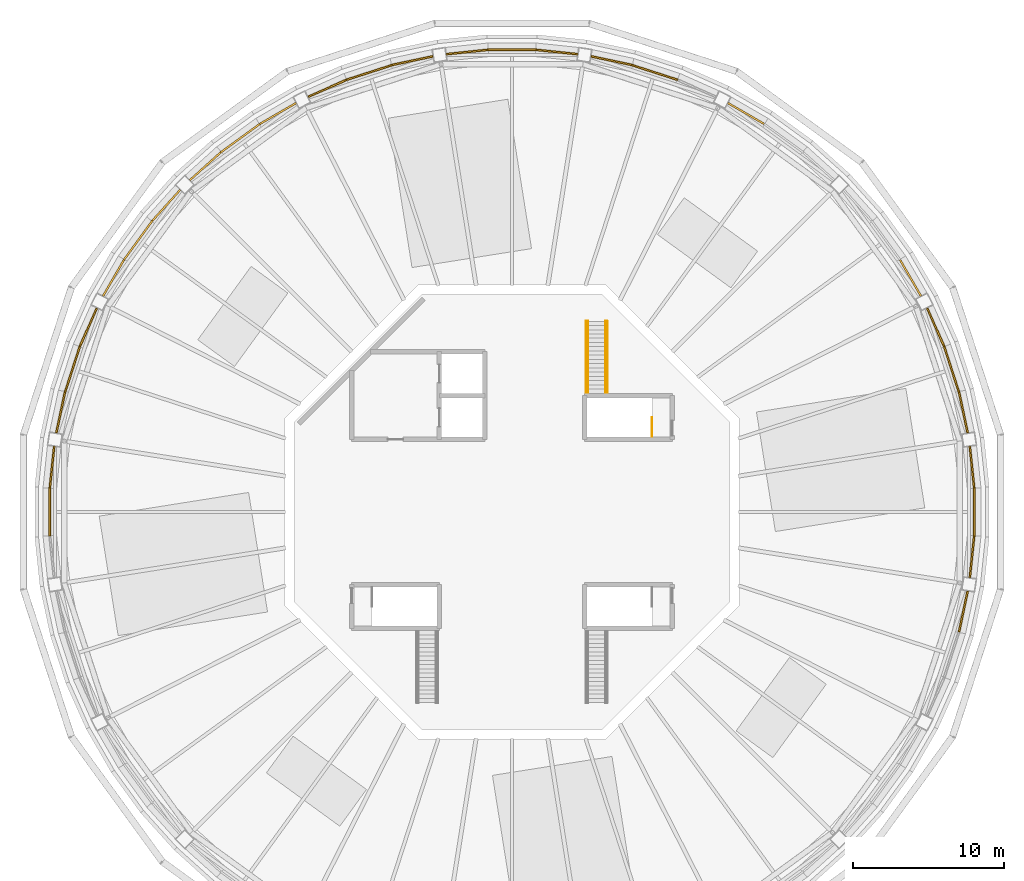
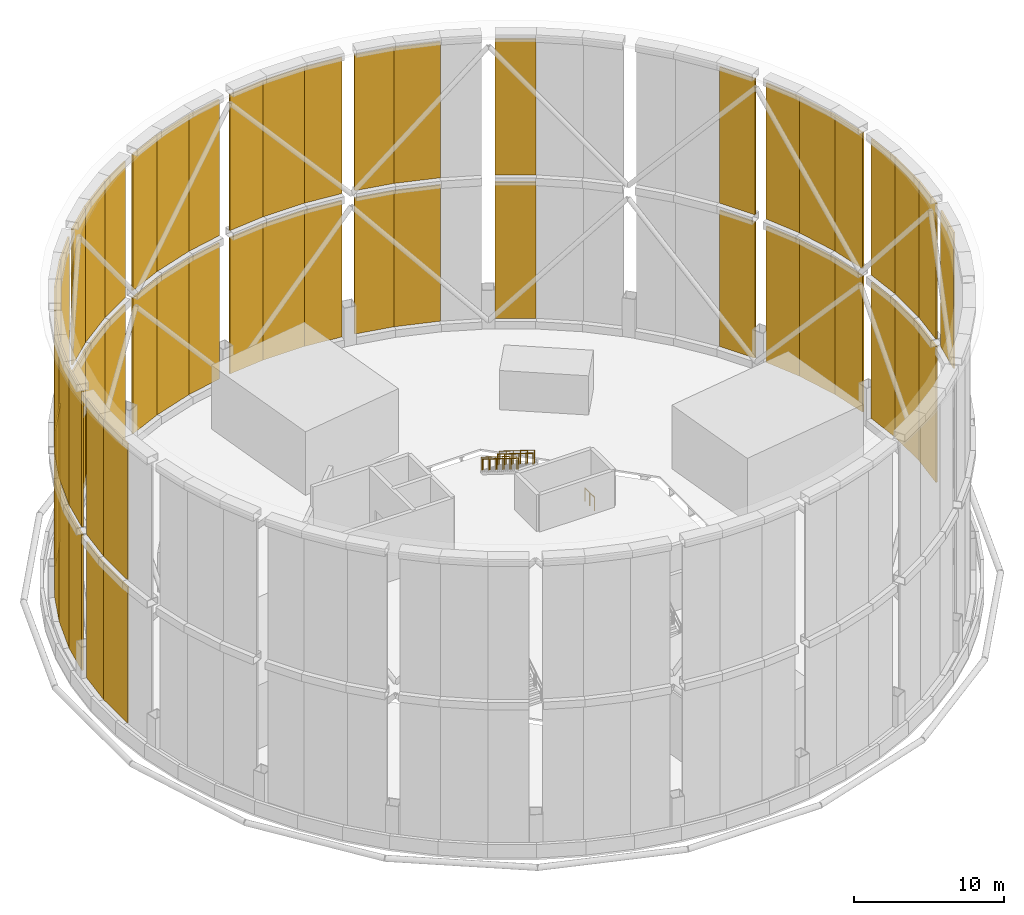
# One storey, part 9 of 11: 55 shading devices, 5 railings.
"""IFC4 building model written with IfcOpenShell, lengths in metres."""

from ifc_helpers import new_model, si_unit, direction, frame, origin, origin_2d, place, context, subcontext, project, spatial, polyline, circle, outline, extrude, material, layer, layer_set, type_object, element, save


model = new_model("IFC4")

# Units and contexts
model_context = context("Model", 3, precision=1e-05, world=origin(), true_north=direction((0.0, 1.0)))
body_context = subcontext(model_context, "Body", "Model", "MODEL_VIEW")
ifc_project = project(units=[si_unit("LENGTHUNIT", "METRE"), si_unit("AREAUNIT", "SQUARE_METRE"), si_unit("VOLUMEUNIT", "CUBIC_METRE"), si_unit("PLANEANGLEUNIT", "RADIAN"), si_unit("MASSUNIT", "GRAM", prefix="KILO")], contexts=[model_context])

# Site, building, storey
site_placement = place(None, origin())
site = spatial("IfcSite", under=ifc_project, at=site_placement, CompositionType="ELEMENT")
building_placement = place(site_placement, origin())
building = spatial("IfcBuilding", under=site, at=building_placement, Name="Entoto Ring Tower", CompositionType="ELEMENT")
storey_placement = place(building_placement, frame((0.0, 0.0, 415.0)))
storey = spatial("IfcBuildingStorey", under=building, at=storey_placement, Name="ROOF", CompositionType="ELEMENT", Elevation=415.0)

# Shading devices
ifc_material_1 = material(Name="Anodised aluminium", Category="aluminium")
ifc_layer = layer(ifc_material_1, 0.1201171875)
ifc_layer_set = layer_set([ifc_layer], Name="Anodised aluminium")
shading_device_type = type_object("IfcShadingDeviceType", Name="Crown louvre screen 120 mm anodised aluminium", PredefinedType="SHUTTER", material=ifc_layer_set)
shading_device_1_placement = place(storey_placement, frame((0.0, 0.0, 0.60009765625)))
element("IfcShadingDevice", 1, at=shading_device_1_placement, inside=storey, type_object=shading_device_type, Name="CROWN SCREEN 1-00", PredefinedType="SHUTTER", context=body_context, shape_type="SweptSolid", body=[
    extrude(outline(polyline([(120.071044921875, 85.214599609375), (120.1884765625, 85.239501953125), (119.615478515625, 87.935302734375), (119.499267578125, 87.904296875), (120.071044921875, 85.214599609375)])), origin(), (0.0, 0.0, 1.0), 11.099853515625),
])
shading_device_2_placement = place(storey_placement, frame((0.0, 0.0, 0.60009765625)))
element("IfcShadingDevice", 2, at=shading_device_2_placement, inside=storey, type_object=shading_device_type, Name="CROWN SCREEN 1-01", PredefinedType="SHUTTER", context=body_context, shape_type="SweptSolid", body=[
    extrude(outline(polyline([(119.499267578125, 87.904296875), (119.615478515625, 87.935302734375), (118.62353515625, 90.987548828125), (118.511474609375, 90.944580078125), (119.499267578125, 87.904296875)])), origin(), (0.0, 0.0, 1.0), 11.099853515625),
])
shading_device_3_placement = place(storey_placement, frame((0.0, 0.0, 0.60009765625)))
element("IfcShadingDevice", 3, at=shading_device_3_placement, inside=storey, type_object=shading_device_type, Name="CROWN SCREEN 1-02", PredefinedType="SHUTTER", context=body_context, shape_type="SweptSolid", body=[
    extrude(outline(polyline([(118.511474609375, 90.944580078125), (118.62353515625, 90.987548828125), (117.502685546875, 93.50537109375), (117.39306640625, 93.45654296875), (118.511474609375, 90.944580078125)])), origin(), (0.0, 0.0, 1.0), 11.099853515625),
])
shading_device_4_placement = place(storey_placement, frame((0.0, 0.0, 0.60009765625)))
element("IfcShadingDevice", 4, at=shading_device_4_placement, inside=storey, type_object=shading_device_type, Name="CROWN SCREEN 1-03", PredefinedType="SHUTTER", context=body_context, shape_type="SweptSolid", body=[
    extrude(outline(polyline([(116.98779296875, 94.251708984375), (117.091796875, 94.311767578125), (115.713623046875, 96.69873046875), (115.613037109375, 96.63330078125), (116.98779296875, 94.251708984375)])), origin(), (0.0, 0.0, 1.0), 11.099853515625),
])
shading_device_5_placement = place(storey_placement, frame((0.0, 0.0, 0.60009765625)))
element("IfcShadingDevice", 5, at=shading_device_5_placement, inside=storey, type_object=shading_device_type, Name="CROWN SCREEN 1-08", PredefinedType="SHUTTER", context=body_context, shape_type="SweptSolid", body=[
    extrude(outline(polyline([(106.63330078125, 105.613037109375), (106.69873046875, 105.713623046875), (104.311767578125, 107.091796875), (104.251708984375, 106.98779296875), (106.63330078125, 105.613037109375)])), origin(), (0.0, 0.0, 1.0), 11.099853515625),
])
shading_device_6_placement = place(storey_placement, frame((0.0, 0.0, 0.60009765625)))
element("IfcShadingDevice", 6, at=shading_device_6_placement, inside=storey, type_object=shading_device_type, Name="CROWN SCREEN 1-10", PredefinedType="SHUTTER", context=body_context, shape_type="SweptSolid", body=[
    extrude(outline(polyline([(100.944580078125, 108.511474609375), (100.987548828125, 108.62353515625), (97.935302734375, 109.615478515625), (97.904296875, 109.499267578125), (100.944580078125, 108.511474609375)])), origin(), (0.0, 0.0, 1.0), 11.099853515625),
])
shading_device_7_placement = place(storey_placement, frame((0.0, 0.0, 0.60009765625)))
element("IfcShadingDevice", 7, at=shading_device_7_placement, inside=storey, type_object=shading_device_type, Name="CROWN SCREEN 1-11", PredefinedType="SHUTTER", context=body_context, shape_type="SweptSolid", body=[
    extrude(outline(polyline([(97.904296875, 109.499267578125), (97.935302734375, 109.615478515625), (95.239501953125, 110.1884765625), (95.214599609375, 110.071044921875), (97.904296875, 109.499267578125)])), origin(), (0.0, 0.0, 1.0), 11.099853515625),
])
shading_device_8_placement = place(storey_placement, frame((0.0, 0.0, 0.60009765625)))
element("IfcShadingDevice", 8, at=shading_device_8_placement, inside=storey, type_object=shading_device_type, Name="CROWN SCREEN 1-12", PredefinedType="SHUTTER", context=body_context, shape_type="SweptSolid", body=[
    extrude(outline(polyline([(94.3330078125, 110.210693359375), (94.345703125, 110.330078125), (91.604736328125, 110.6181640625), (91.598388671875, 110.498046875), (94.3330078125, 110.210693359375)])), origin(), (0.0, 0.0, 1.0), 11.099853515625),
])
shading_device_9_placement = place(storey_placement, frame((0.0, 0.0, 0.60009765625)))
element("IfcShadingDevice", 9, at=shading_device_9_placement, inside=storey, type_object=shading_device_type, Name="CROWN SCREEN 1-13", PredefinedType="SHUTTER", context=body_context, shape_type="SweptSolid", body=[
    extrude(outline(polyline([(91.598388671875, 110.498046875), (91.604736328125, 110.6181640625), (88.395263671875, 110.6181640625), (88.401611328125, 110.498046875), (91.598388671875, 110.498046875)])), origin(), (0.0, 0.0, 1.0), 11.099853515625),
])
shading_device_10_placement = place(storey_placement, frame((0.0, 0.0, 0.60009765625)))
element("IfcShadingDevice", 10, at=shading_device_10_placement, inside=storey, type_object=shading_device_type, Name="CROWN SCREEN 1-14", PredefinedType="SHUTTER", context=body_context, shape_type="SweptSolid", body=[
    extrude(outline(polyline([(88.401611328125, 110.498046875), (88.395263671875, 110.6181640625), (85.654296875, 110.330078125), (85.6669921875, 110.210693359375), (88.401611328125, 110.498046875)])), origin(), (0.0, 0.0, 1.0), 11.099853515625),
])
shading_device_11_placement = place(storey_placement, frame((0.0, 0.0, 0.60009765625)))
element("IfcShadingDevice", 11, at=shading_device_11_placement, inside=storey, type_object=shading_device_type, Name="CROWN SCREEN 1-15", PredefinedType="SHUTTER", context=body_context, shape_type="SweptSolid", body=[
    extrude(outline(polyline([(84.785400390625, 110.071044921875), (84.760498046875, 110.1884765625), (82.064697265625, 109.615478515625), (82.095703125, 109.499267578125), (84.785400390625, 110.071044921875)])), origin(), (0.0, 0.0, 1.0), 11.099853515625),
])
shading_device_12_placement = place(storey_placement, frame((0.0, 0.0, 0.60009765625)))
element("IfcShadingDevice", 12, at=shading_device_12_placement, inside=storey, type_object=shading_device_type, Name="CROWN SCREEN 1-16", PredefinedType="SHUTTER", context=body_context, shape_type="SweptSolid", body=[
    extrude(outline(polyline([(82.095703125, 109.499267578125), (82.064697265625, 109.615478515625), (79.012451171875, 108.62353515625), (79.055419921875, 108.511474609375), (82.095703125, 109.499267578125)])), origin(), (0.0, 0.0, 1.0), 11.099853515625),
])
shading_device_13_placement = place(storey_placement, frame((0.0, 0.0, 0.60009765625)))
element("IfcShadingDevice", 13, at=shading_device_13_placement, inside=storey, type_object=shading_device_type, Name="CROWN SCREEN 1-17", PredefinedType="SHUTTER", context=body_context, shape_type="SweptSolid", body=[
    extrude(outline(polyline([(79.055419921875, 108.511474609375), (79.012451171875, 108.62353515625), (76.49462890625, 107.502685546875), (76.54345703125, 107.39306640625), (79.055419921875, 108.511474609375)])), origin(), (0.0, 0.0, 1.0), 11.099853515625),
])
shading_device_14_placement = place(storey_placement, frame((0.0, 0.0, 0.60009765625)))
element("IfcShadingDevice", 14, at=shading_device_14_placement, inside=storey, type_object=shading_device_type, Name="CROWN SCREEN 1-18", PredefinedType="SHUTTER", context=body_context, shape_type="SweptSolid", body=[
    extrude(outline(polyline([(75.748291015625, 106.98779296875), (75.688232421875, 107.091796875), (73.30126953125, 105.713623046875), (73.36669921875, 105.613037109375), (75.748291015625, 106.98779296875)])), origin(), (0.0, 0.0, 1.0), 11.099853515625),
])
shading_device_15_placement = place(storey_placement, frame((0.0, 0.0, 0.60009765625)))
element("IfcShadingDevice", 15, at=shading_device_15_placement, inside=storey, type_object=shading_device_type, Name="CROWN SCREEN 1-19", PredefinedType="SHUTTER", context=body_context, shape_type="SweptSolid", body=[
    extrude(outline(polyline([(73.36669921875, 105.613037109375), (73.30126953125, 105.713623046875), (70.705078125, 103.827392578125), (70.780517578125, 103.73388671875), (73.36669921875, 105.613037109375)])), origin(), (0.0, 0.0, 1.0), 11.099853515625),
])
shading_device_16_placement = place(storey_placement, frame((0.0, 0.0, 0.60009765625)))
element("IfcShadingDevice", 16, at=shading_device_16_placement, inside=storey, type_object=shading_device_type, Name="CROWN SCREEN 1-20", PredefinedType="SHUTTER", context=body_context, shape_type="SweptSolid", body=[
    extrude(outline(polyline([(70.780517578125, 103.73388671875), (70.705078125, 103.827392578125), (68.65673828125, 101.983154296875), (68.737060546875, 101.89404296875), (70.780517578125, 103.73388671875)])), origin(), (0.0, 0.0, 1.0), 11.099853515625),
])
shading_device_17_placement = place(storey_placement, frame((0.0, 0.0, 0.60009765625)))
element("IfcShadingDevice", 17, at=shading_device_17_placement, inside=storey, type_object=shading_device_type, Name="CROWN SCREEN 1-21", PredefinedType="SHUTTER", context=body_context, shape_type="SweptSolid", body=[
    extrude(outline(polyline([(68.10595703125, 101.262939453125), (68.016845703125, 101.34326171875), (66.172607421875, 99.294921875), (66.26611328125, 99.219482421875), (68.10595703125, 101.262939453125)])), origin(), (0.0, 0.0, 1.0), 11.099853515625),
])
shading_device_18_placement = place(storey_placement, frame((0.0, 0.0, 0.60009765625)))
element("IfcShadingDevice", 18, at=shading_device_18_placement, inside=storey, type_object=shading_device_type, Name="CROWN SCREEN 1-22", PredefinedType="SHUTTER", context=body_context, shape_type="SweptSolid", body=[
    extrude(outline(polyline([(66.26611328125, 99.219482421875), (66.172607421875, 99.294921875), (64.286376953125, 96.69873046875), (64.386962890625, 96.63330078125), (66.26611328125, 99.219482421875)])), origin(), (0.0, 0.0, 1.0), 11.099853515625),
])
shading_device_19_placement = place(storey_placement, frame((0.0, 0.0, 0.60009765625)))
element("IfcShadingDevice", 19, at=shading_device_19_placement, inside=storey, type_object=shading_device_type, Name="CROWN SCREEN 1-23", PredefinedType="SHUTTER", context=body_context, shape_type="SweptSolid", body=[
    extrude(outline(polyline([(64.386962890625, 96.63330078125), (64.286376953125, 96.69873046875), (62.908203125, 94.311767578125), (63.01220703125, 94.251708984375), (64.386962890625, 96.63330078125)])), origin(), (0.0, 0.0, 1.0), 11.099853515625),
])
shading_device_20_placement = place(storey_placement, frame((0.0, 0.0, 0.60009765625)))
element("IfcShadingDevice", 20, at=shading_device_20_placement, inside=storey, type_object=shading_device_type, Name="CROWN SCREEN 1-24", PredefinedType="SHUTTER", context=body_context, shape_type="SweptSolid", body=[
    extrude(outline(polyline([(62.60693359375, 93.45654296875), (62.497314453125, 93.50537109375), (61.37646484375, 90.987548828125), (61.488525390625, 90.944580078125), (62.60693359375, 93.45654296875)])), origin(), (0.0, 0.0, 1.0), 11.099853515625),
])
shading_device_21_placement = place(storey_placement, frame((0.0, 0.0, 0.60009765625)))
element("IfcShadingDevice", 21, at=shading_device_21_placement, inside=storey, type_object=shading_device_type, Name="CROWN SCREEN 1-25", PredefinedType="SHUTTER", context=body_context, shape_type="SweptSolid", body=[
    extrude(outline(polyline([(61.488525390625, 90.944580078125), (61.37646484375, 90.987548828125), (60.384521484375, 87.935302734375), (60.500732421875, 87.904296875), (61.488525390625, 90.944580078125)])), origin(), (0.0, 0.0, 1.0), 11.099853515625),
])
shading_device_22_placement = place(storey_placement, frame((0.0, 0.0, 0.60009765625)))
element("IfcShadingDevice", 22, at=shading_device_22_placement, inside=storey, type_object=shading_device_type, Name="CROWN SCREEN 1-26", PredefinedType="SHUTTER", context=body_context, shape_type="SweptSolid", body=[
    extrude(outline(polyline([(60.500732421875, 87.904296875), (60.384521484375, 87.935302734375), (59.8115234375, 85.239501953125), (59.928955078125, 85.214599609375), (60.500732421875, 87.904296875)])), origin(), (0.0, 0.0, 1.0), 11.099853515625),
])
shading_device_23_placement = place(storey_placement, frame((0.0, 0.0, 0.60009765625)))
element("IfcShadingDevice", 23, at=shading_device_23_placement, inside=storey, type_object=shading_device_type, Name="CROWN SCREEN 1-27", PredefinedType="SHUTTER", context=body_context, shape_type="SweptSolid", body=[
    extrude(outline(polyline([(59.789306640625, 84.3330078125), (59.669921875, 84.345703125), (59.3818359375, 81.604736328125), (59.501953125, 81.598388671875), (59.789306640625, 84.3330078125)])), origin(), (0.0, 0.0, 1.0), 11.099853515625),
])
shading_device_24_placement = place(storey_placement, frame((0.0, 0.0, 0.60009765625)))
element("IfcShadingDevice", 24, at=shading_device_24_placement, inside=storey, type_object=shading_device_type, Name="CROWN SCREEN 1-28", PredefinedType="SHUTTER", context=body_context, shape_type="SweptSolid", body=[
    extrude(outline(polyline([(59.501953125, 81.598388671875), (59.3818359375, 81.604736328125), (59.3818359375, 78.395263671875), (59.501953125, 78.401611328125), (59.501953125, 81.598388671875)])), origin(), (0.0, 0.0, 1.0), 11.099853515625),
])
shading_device_25_placement = place(storey_placement, frame((0.0, 0.0, 0.60009765625)))
element("IfcShadingDevice", 25, at=shading_device_25_placement, inside=storey, type_object=shading_device_type, Name="CROWN SCREEN 1-57", PredefinedType="SHUTTER", context=body_context, shape_type="SweptSolid", body=[
    extrude(outline(polyline([(120.210693359375, 75.6669921875), (120.330078125, 75.654296875), (120.6181640625, 78.395263671875), (120.498046875, 78.401611328125), (120.210693359375, 75.6669921875)])), origin(), (0.0, 0.0, 1.0), 11.099853515625),
])
shading_device_26_placement = place(storey_placement, frame((0.0, 0.0, 0.60009765625)))
element("IfcShadingDevice", 26, at=shading_device_26_placement, inside=storey, type_object=shading_device_type, Name="CROWN SCREEN 1-58", PredefinedType="SHUTTER", context=body_context, shape_type="SweptSolid", body=[
    extrude(outline(polyline([(120.498046875, 78.401611328125), (120.6181640625, 78.395263671875), (120.6181640625, 81.604736328125), (120.498046875, 81.598388671875), (120.498046875, 78.401611328125)])), origin(), (0.0, 0.0, 1.0), 11.099853515625),
])
shading_device_27_placement = place(storey_placement, frame((0.0, 0.0, 0.60009765625)))
element("IfcShadingDevice", 27, at=shading_device_27_placement, inside=storey, type_object=shading_device_type, Name="CROWN SCREEN 1-59", PredefinedType="SHUTTER", context=body_context, shape_type="SweptSolid", body=[
    extrude(outline(polyline([(120.498046875, 81.598388671875), (120.6181640625, 81.604736328125), (120.330078125, 84.345703125), (120.210693359375, 84.3330078125), (120.498046875, 81.598388671875)])), origin(), (0.0, 0.0, 1.0), 11.099853515625),
])
shading_device_28_placement = place(storey_placement, frame((0.0, 0.0, 12.300048828125)))
element("IfcShadingDevice", 28, at=shading_device_28_placement, inside=storey, type_object=shading_device_type, Name="CROWN SCREEN 2-00", PredefinedType="SHUTTER", context=body_context, shape_type="SweptSolid", body=[
    extrude(outline(polyline([(120.071044921875, 85.214599609375), (120.1884765625, 85.239501953125), (119.615478515625, 87.935302734375), (119.499267578125, 87.904296875), (120.071044921875, 85.214599609375)])), origin(), (0.0, 0.0, 1.0), 11.099853515625),
])
shading_device_29_placement = place(storey_placement, frame((0.0, 0.0, 12.300048828125)))
element("IfcShadingDevice", 29, at=shading_device_29_placement, inside=storey, type_object=shading_device_type, Name="CROWN SCREEN 2-01", PredefinedType="SHUTTER", context=body_context, shape_type="SweptSolid", body=[
    extrude(outline(polyline([(119.499267578125, 87.904296875), (119.615478515625, 87.935302734375), (118.62353515625, 90.987548828125), (118.511474609375, 90.944580078125), (119.499267578125, 87.904296875)])), origin(), (0.0, 0.0, 1.0), 11.099853515625),
])
shading_device_30_placement = place(storey_placement, frame((0.0, 0.0, 12.300048828125)))
element("IfcShadingDevice", 30, at=shading_device_30_placement, inside=storey, type_object=shading_device_type, Name="CROWN SCREEN 2-02", PredefinedType="SHUTTER", context=body_context, shape_type="SweptSolid", body=[
    extrude(outline(polyline([(118.511474609375, 90.944580078125), (118.62353515625, 90.987548828125), (117.502685546875, 93.50537109375), (117.39306640625, 93.45654296875), (118.511474609375, 90.944580078125)])), origin(), (0.0, 0.0, 1.0), 11.099853515625),
])
shading_device_31_placement = place(storey_placement, frame((0.0, 0.0, 12.300048828125)))
element("IfcShadingDevice", 31, at=shading_device_31_placement, inside=storey, type_object=shading_device_type, Name="CROWN SCREEN 2-03", PredefinedType="SHUTTER", context=body_context, shape_type="SweptSolid", body=[
    extrude(outline(polyline([(116.98779296875, 94.251708984375), (117.091796875, 94.311767578125), (115.713623046875, 96.69873046875), (115.613037109375, 96.63330078125), (116.98779296875, 94.251708984375)])), origin(), (0.0, 0.0, 1.0), 11.099853515625),
])
shading_device_32_placement = place(storey_placement, frame((0.0, 0.0, 12.300048828125)))
element("IfcShadingDevice", 32, at=shading_device_32_placement, inside=storey, type_object=shading_device_type, Name="CROWN SCREEN 2-08", PredefinedType="SHUTTER", context=body_context, shape_type="SweptSolid", body=[
    extrude(outline(polyline([(106.63330078125, 105.613037109375), (106.69873046875, 105.713623046875), (104.311767578125, 107.091796875), (104.251708984375, 106.98779296875), (106.63330078125, 105.613037109375)])), origin(), (0.0, 0.0, 1.0), 11.099853515625),
])
shading_device_33_placement = place(storey_placement, frame((0.0, 0.0, 12.300048828125)))
element("IfcShadingDevice", 33, at=shading_device_33_placement, inside=storey, type_object=shading_device_type, Name="CROWN SCREEN 2-10", PredefinedType="SHUTTER", context=body_context, shape_type="SweptSolid", body=[
    extrude(outline(polyline([(100.944580078125, 108.511474609375), (100.987548828125, 108.62353515625), (97.935302734375, 109.615478515625), (97.904296875, 109.499267578125), (100.944580078125, 108.511474609375)])), origin(), (0.0, 0.0, 1.0), 11.099853515625),
])
shading_device_34_placement = place(storey_placement, frame((0.0, 0.0, 12.300048828125)))
element("IfcShadingDevice", 34, at=shading_device_34_placement, inside=storey, type_object=shading_device_type, Name="CROWN SCREEN 2-11", PredefinedType="SHUTTER", context=body_context, shape_type="SweptSolid", body=[
    extrude(outline(polyline([(97.904296875, 109.499267578125), (97.935302734375, 109.615478515625), (95.239501953125, 110.1884765625), (95.214599609375, 110.071044921875), (97.904296875, 109.499267578125)])), origin(), (0.0, 0.0, 1.0), 11.099853515625),
])
shading_device_35_placement = place(storey_placement, frame((0.0, 0.0, 12.300048828125)))
element("IfcShadingDevice", 35, at=shading_device_35_placement, inside=storey, type_object=shading_device_type, Name="CROWN SCREEN 2-12", PredefinedType="SHUTTER", context=body_context, shape_type="SweptSolid", body=[
    extrude(outline(polyline([(94.3330078125, 110.210693359375), (94.345703125, 110.330078125), (91.604736328125, 110.6181640625), (91.598388671875, 110.498046875), (94.3330078125, 110.210693359375)])), origin(), (0.0, 0.0, 1.0), 11.099853515625),
])
shading_device_36_placement = place(storey_placement, frame((0.0, 0.0, 12.300048828125)))
element("IfcShadingDevice", 36, at=shading_device_36_placement, inside=storey, type_object=shading_device_type, Name="CROWN SCREEN 2-13", PredefinedType="SHUTTER", context=body_context, shape_type="SweptSolid", body=[
    extrude(outline(polyline([(91.598388671875, 110.498046875), (91.604736328125, 110.6181640625), (88.395263671875, 110.6181640625), (88.401611328125, 110.498046875), (91.598388671875, 110.498046875)])), origin(), (0.0, 0.0, 1.0), 11.099853515625),
])
shading_device_37_placement = place(storey_placement, frame((0.0, 0.0, 12.300048828125)))
element("IfcShadingDevice", 37, at=shading_device_37_placement, inside=storey, type_object=shading_device_type, Name="CROWN SCREEN 2-14", PredefinedType="SHUTTER", context=body_context, shape_type="SweptSolid", body=[
    extrude(outline(polyline([(88.401611328125, 110.498046875), (88.395263671875, 110.6181640625), (85.654296875, 110.330078125), (85.6669921875, 110.210693359375), (88.401611328125, 110.498046875)])), origin(), (0.0, 0.0, 1.0), 11.099853515625),
])
shading_device_38_placement = place(storey_placement, frame((0.0, 0.0, 12.300048828125)))
element("IfcShadingDevice", 38, at=shading_device_38_placement, inside=storey, type_object=shading_device_type, Name="CROWN SCREEN 2-15", PredefinedType="SHUTTER", context=body_context, shape_type="SweptSolid", body=[
    extrude(outline(polyline([(84.785400390625, 110.071044921875), (84.760498046875, 110.1884765625), (82.064697265625, 109.615478515625), (82.095703125, 109.499267578125), (84.785400390625, 110.071044921875)])), origin(), (0.0, 0.0, 1.0), 11.099853515625),
])
shading_device_39_placement = place(storey_placement, frame((0.0, 0.0, 12.300048828125)))
element("IfcShadingDevice", 39, at=shading_device_39_placement, inside=storey, type_object=shading_device_type, Name="CROWN SCREEN 2-16", PredefinedType="SHUTTER", context=body_context, shape_type="SweptSolid", body=[
    extrude(outline(polyline([(82.095703125, 109.499267578125), (82.064697265625, 109.615478515625), (79.012451171875, 108.62353515625), (79.055419921875, 108.511474609375), (82.095703125, 109.499267578125)])), origin(), (0.0, 0.0, 1.0), 11.099853515625),
])
shading_device_40_placement = place(storey_placement, frame((0.0, 0.0, 12.300048828125)))
element("IfcShadingDevice", 40, at=shading_device_40_placement, inside=storey, type_object=shading_device_type, Name="CROWN SCREEN 2-17", PredefinedType="SHUTTER", context=body_context, shape_type="SweptSolid", body=[
    extrude(outline(polyline([(79.055419921875, 108.511474609375), (79.012451171875, 108.62353515625), (76.49462890625, 107.502685546875), (76.54345703125, 107.39306640625), (79.055419921875, 108.511474609375)])), origin(), (0.0, 0.0, 1.0), 11.099853515625),
])
shading_device_41_placement = place(storey_placement, frame((0.0, 0.0, 12.300048828125)))
element("IfcShadingDevice", 41, at=shading_device_41_placement, inside=storey, type_object=shading_device_type, Name="CROWN SCREEN 2-18", PredefinedType="SHUTTER", context=body_context, shape_type="SweptSolid", body=[
    extrude(outline(polyline([(75.748291015625, 106.98779296875), (75.688232421875, 107.091796875), (73.30126953125, 105.713623046875), (73.36669921875, 105.613037109375), (75.748291015625, 106.98779296875)])), origin(), (0.0, 0.0, 1.0), 11.099853515625),
])
shading_device_42_placement = place(storey_placement, frame((0.0, 0.0, 12.300048828125)))
element("IfcShadingDevice", 42, at=shading_device_42_placement, inside=storey, type_object=shading_device_type, Name="CROWN SCREEN 2-19", PredefinedType="SHUTTER", context=body_context, shape_type="SweptSolid", body=[
    extrude(outline(polyline([(73.36669921875, 105.613037109375), (73.30126953125, 105.713623046875), (70.705078125, 103.827392578125), (70.780517578125, 103.73388671875), (73.36669921875, 105.613037109375)])), origin(), (0.0, 0.0, 1.0), 11.099853515625),
])
shading_device_43_placement = place(storey_placement, frame((0.0, 0.0, 12.300048828125)))
element("IfcShadingDevice", 43, at=shading_device_43_placement, inside=storey, type_object=shading_device_type, Name="CROWN SCREEN 2-20", PredefinedType="SHUTTER", context=body_context, shape_type="SweptSolid", body=[
    extrude(outline(polyline([(70.780517578125, 103.73388671875), (70.705078125, 103.827392578125), (68.65673828125, 101.983154296875), (68.737060546875, 101.89404296875), (70.780517578125, 103.73388671875)])), origin(), (0.0, 0.0, 1.0), 11.099853515625),
])
shading_device_44_placement = place(storey_placement, frame((0.0, 0.0, 12.300048828125)))
element("IfcShadingDevice", 44, at=shading_device_44_placement, inside=storey, type_object=shading_device_type, Name="CROWN SCREEN 2-21", PredefinedType="SHUTTER", context=body_context, shape_type="SweptSolid", body=[
    extrude(outline(polyline([(68.10595703125, 101.262939453125), (68.016845703125, 101.34326171875), (66.172607421875, 99.294921875), (66.26611328125, 99.219482421875), (68.10595703125, 101.262939453125)])), origin(), (0.0, 0.0, 1.0), 11.099853515625),
])
shading_device_45_placement = place(storey_placement, frame((0.0, 0.0, 12.300048828125)))
element("IfcShadingDevice", 45, at=shading_device_45_placement, inside=storey, type_object=shading_device_type, Name="CROWN SCREEN 2-22", PredefinedType="SHUTTER", context=body_context, shape_type="SweptSolid", body=[
    extrude(outline(polyline([(66.26611328125, 99.219482421875), (66.172607421875, 99.294921875), (64.286376953125, 96.69873046875), (64.386962890625, 96.63330078125), (66.26611328125, 99.219482421875)])), origin(), (0.0, 0.0, 1.0), 11.099853515625),
])
shading_device_46_placement = place(storey_placement, frame((0.0, 0.0, 12.300048828125)))
element("IfcShadingDevice", 46, at=shading_device_46_placement, inside=storey, type_object=shading_device_type, Name="CROWN SCREEN 2-23", PredefinedType="SHUTTER", context=body_context, shape_type="SweptSolid", body=[
    extrude(outline(polyline([(64.386962890625, 96.63330078125), (64.286376953125, 96.69873046875), (62.908203125, 94.311767578125), (63.01220703125, 94.251708984375), (64.386962890625, 96.63330078125)])), origin(), (0.0, 0.0, 1.0), 11.099853515625),
])
shading_device_47_placement = place(storey_placement, frame((0.0, 0.0, 12.300048828125)))
element("IfcShadingDevice", 47, at=shading_device_47_placement, inside=storey, type_object=shading_device_type, Name="CROWN SCREEN 2-24", PredefinedType="SHUTTER", context=body_context, shape_type="SweptSolid", body=[
    extrude(outline(polyline([(62.60693359375, 93.45654296875), (62.497314453125, 93.50537109375), (61.37646484375, 90.987548828125), (61.488525390625, 90.944580078125), (62.60693359375, 93.45654296875)])), origin(), (0.0, 0.0, 1.0), 11.099853515625),
])
shading_device_48_placement = place(storey_placement, frame((0.0, 0.0, 12.300048828125)))
element("IfcShadingDevice", 48, at=shading_device_48_placement, inside=storey, type_object=shading_device_type, Name="CROWN SCREEN 2-25", PredefinedType="SHUTTER", context=body_context, shape_type="SweptSolid", body=[
    extrude(outline(polyline([(61.488525390625, 90.944580078125), (61.37646484375, 90.987548828125), (60.384521484375, 87.935302734375), (60.500732421875, 87.904296875), (61.488525390625, 90.944580078125)])), origin(), (0.0, 0.0, 1.0), 11.099853515625),
])
shading_device_49_placement = place(storey_placement, frame((0.0, 0.0, 12.300048828125)))
element("IfcShadingDevice", 49, at=shading_device_49_placement, inside=storey, type_object=shading_device_type, Name="CROWN SCREEN 2-26", PredefinedType="SHUTTER", context=body_context, shape_type="SweptSolid", body=[
    extrude(outline(polyline([(60.500732421875, 87.904296875), (60.384521484375, 87.935302734375), (59.8115234375, 85.239501953125), (59.928955078125, 85.214599609375), (60.500732421875, 87.904296875)])), origin(), (0.0, 0.0, 1.0), 11.099853515625),
])
shading_device_50_placement = place(storey_placement, frame((0.0, 0.0, 12.300048828125)))
element("IfcShadingDevice", 50, at=shading_device_50_placement, inside=storey, type_object=shading_device_type, Name="CROWN SCREEN 2-27", PredefinedType="SHUTTER", context=body_context, shape_type="SweptSolid", body=[
    extrude(outline(polyline([(59.789306640625, 84.3330078125), (59.669921875, 84.345703125), (59.3818359375, 81.604736328125), (59.501953125, 81.598388671875), (59.789306640625, 84.3330078125)])), origin(), (0.0, 0.0, 1.0), 11.099853515625),
])
shading_device_51_placement = place(storey_placement, frame((0.0, 0.0, 12.300048828125)))
element("IfcShadingDevice", 51, at=shading_device_51_placement, inside=storey, type_object=shading_device_type, Name="CROWN SCREEN 2-28", PredefinedType="SHUTTER", context=body_context, shape_type="SweptSolid", body=[
    extrude(outline(polyline([(59.501953125, 81.598388671875), (59.3818359375, 81.604736328125), (59.3818359375, 78.395263671875), (59.501953125, 78.401611328125), (59.501953125, 81.598388671875)])), origin(), (0.0, 0.0, 1.0), 11.099853515625),
])
shading_device_52_placement = place(storey_placement, frame((0.0, 0.0, 12.300048828125)))
element("IfcShadingDevice", 52, at=shading_device_52_placement, inside=storey, type_object=shading_device_type, Name="CROWN SCREEN 2-56", PredefinedType="SHUTTER", context=body_context, shape_type="SweptSolid", body=[
    extrude(outline(polyline([(119.499267578125, 72.095703125), (119.615478515625, 72.064697265625), (120.1884765625, 74.760498046875), (120.071044921875, 74.785400390625), (119.499267578125, 72.095703125)])), origin(), (0.0, 0.0, 1.0), 11.099853515625),
])
shading_device_53_placement = place(storey_placement, frame((0.0, 0.0, 12.300048828125)))
element("IfcShadingDevice", 53, at=shading_device_53_placement, inside=storey, type_object=shading_device_type, Name="CROWN SCREEN 2-57", PredefinedType="SHUTTER", context=body_context, shape_type="SweptSolid", body=[
    extrude(outline(polyline([(120.210693359375, 75.6669921875), (120.330078125, 75.654296875), (120.6181640625, 78.395263671875), (120.498046875, 78.401611328125), (120.210693359375, 75.6669921875)])), origin(), (0.0, 0.0, 1.0), 11.099853515625),
])
shading_device_54_placement = place(storey_placement, frame((0.0, 0.0, 12.300048828125)))
element("IfcShadingDevice", 54, at=shading_device_54_placement, inside=storey, type_object=shading_device_type, Name="CROWN SCREEN 2-58", PredefinedType="SHUTTER", context=body_context, shape_type="SweptSolid", body=[
    extrude(outline(polyline([(120.498046875, 78.401611328125), (120.6181640625, 78.395263671875), (120.6181640625, 81.604736328125), (120.498046875, 81.598388671875), (120.498046875, 78.401611328125)])), origin(), (0.0, 0.0, 1.0), 11.099853515625),
])
shading_device_55_placement = place(storey_placement, frame((0.0, 0.0, 12.300048828125)))
element("IfcShadingDevice", 55, at=shading_device_55_placement, inside=storey, type_object=shading_device_type, Name="CROWN SCREEN 2-59", PredefinedType="SHUTTER", context=body_context, shape_type="SweptSolid", body=[
    extrude(outline(polyline([(120.498046875, 81.598388671875), (120.6181640625, 81.604736328125), (120.330078125, 84.345703125), (120.210693359375, 84.3330078125), (120.498046875, 81.598388671875)])), origin(), (0.0, 0.0, 1.0), 11.099853515625),
])

# Railings
ifc_material_2 = material(Name="Steel S275", Category="steel")
railing_type_1 = type_object("IfcRailingType", Name="Stair guard 1100 mm steel", PredefinedType="GUARDRAIL", material=ifc_material_2)
railing_placement = place(storey_placement, frame((99.25, 85.0, 0.0)))
element("IfcRailing", 56, at=railing_placement, inside=storey, type_object=railing_type_1, Name="Guard ST1", PredefinedType="GUARDRAIL", context=body_context, shape_type="SweptSolid", body=[
    extrude(circle(Radius=0.02392578125, at=origin_2d()), frame((0.0, 0.0, 1.076171875), z_axis=(0.0, 1.0, 0.0), x_axis=(-1.0, 0.0, 0.0)), (0.0, 0.0, 1.0), 1.25),
    extrude(circle(Radius=0.02099609375, at=origin_2d()), origin(), (0.0, 0.0, 1.0), 1.052001953125),
    extrude(circle(Radius=0.02099609375, at=origin_2d()), frame((0.0, 0.625, 0.0)), (0.0, 0.0, 1.0), 1.052001953125),
    extrude(circle(Radius=0.02099609375, at=origin_2d()), frame((0.0, 1.25, 0.0)), (0.0, 0.0, 1.0), 1.052001953125),
])
for number, where, name in (
    (57, (96.300048828125, 92.610107421875, 0.175048828125), "Guard RS1"),
    (58, (94.89990234375, 92.610107421875, 0.175048828125), "Guard RS1"),
):
    element("IfcRailing", number, at=place(storey_placement, frame(where)), inside=storey, type_object=railing_type_1, Name=name, PredefinedType="GUARDRAIL", context=body_context, shape_type="SweptSolid", body=[
        extrude(circle(Radius=0.02392578125, at=origin_2d()), frame((0.0, 0.0, 1.076171875), z_axis=(0.0, -0.848020527612, 0.529963380574), x_axis=(1.0, 0.0, 0.0)), (0.0, 0.0, 1.0), 5.554443359375),
        extrude(circle(Radius=0.02099609375, at=origin_2d()), origin(), (0.0, 0.0, 1.0), 1.052001953125),
        extrude(circle(Radius=0.02099609375, at=origin_2d()), frame((0.0, -0.942138671875, 0.588623046875)), (0.0, 0.0, 1.0), 1.052001953125),
        extrude(circle(Radius=0.02099609375, at=origin_2d()), frame((0.0, -1.884033203125, 1.177490234375)), (0.0, 0.0, 1.0), 1.052001953125),
        extrude(circle(Radius=0.02099609375, at=origin_2d()), frame((0.0, -2.826171875, 1.76611328125)), (0.0, 0.0, 1.0), 1.052001953125),
        extrude(circle(Radius=0.02099609375, at=origin_2d()), frame((0.0, -3.76806640625, 2.35498046875)), (0.0, 0.0, 1.0), 1.052001953125),
        extrude(circle(Radius=0.02099609375, at=origin_2d()), frame((0.0, -4.710205078125, 2.943603515625)), (0.0, 0.0, 1.0), 1.052001953125),
    ])
ifc_material_3 = material(Name="Steel S275", Category="steel")
railing_type_2 = type_object("IfcRailingType", Name="Stair handrail 900 mm steel", PredefinedType="HANDRAIL", material=ifc_material_3)
for number, where, name in (
    (59, (96.179931640625, 92.610107421875, 0.175048828125), "Handrail RS1"),
    (60, (95.02001953125, 92.610107421875, 0.175048828125), "Handrail RS1"),
):
    element("IfcRailing", number, at=place(storey_placement, frame(where)), inside=storey, type_object=railing_type_2, Name=name, PredefinedType="HANDRAIL", context=body_context, shape_type="SweptSolid", body=[
        extrude(circle(Radius=0.02392578125, at=origin_2d()), frame((0.0, 0.0, 0.8759765625), z_axis=(0.0, -0.848020527612, 0.529963380574), x_axis=(1.0, 0.0, 0.0)), (0.0, 0.0, 1.0), 5.554443359375),
        extrude(circle(Radius=0.02099609375, at=origin_2d()), origin(), (0.0, 0.0, 1.0), 0.851806640625),
        extrude(circle(Radius=0.02099609375, at=origin_2d()), frame((0.0, -0.942138671875, 0.588623046875)), (0.0, 0.0, 1.0), 0.851806640625),
        extrude(circle(Radius=0.02099609375, at=origin_2d()), frame((0.0, -1.884033203125, 1.177490234375)), (0.0, 0.0, 1.0), 0.851806640625),
        extrude(circle(Radius=0.02099609375, at=origin_2d()), frame((0.0, -2.826171875, 1.76611328125)), (0.0, 0.0, 1.0), 0.851806640625),
        extrude(circle(Radius=0.02099609375, at=origin_2d()), frame((0.0, -3.76806640625, 2.35498046875)), (0.0, 0.0, 1.0), 0.851806640625),
        extrude(circle(Radius=0.02099609375, at=origin_2d()), frame((0.0, -4.710205078125, 2.943603515625)), (0.0, 0.0, 1.0), 0.851806640625),
    ])

save(model, "model.ifc")
